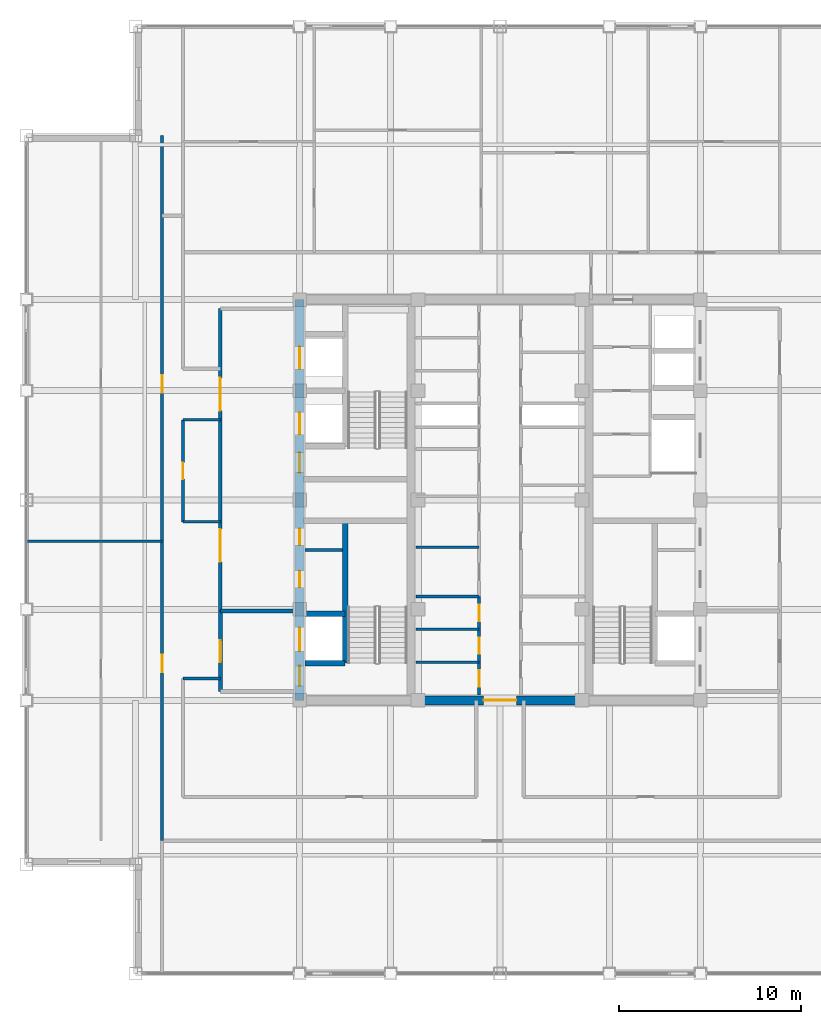
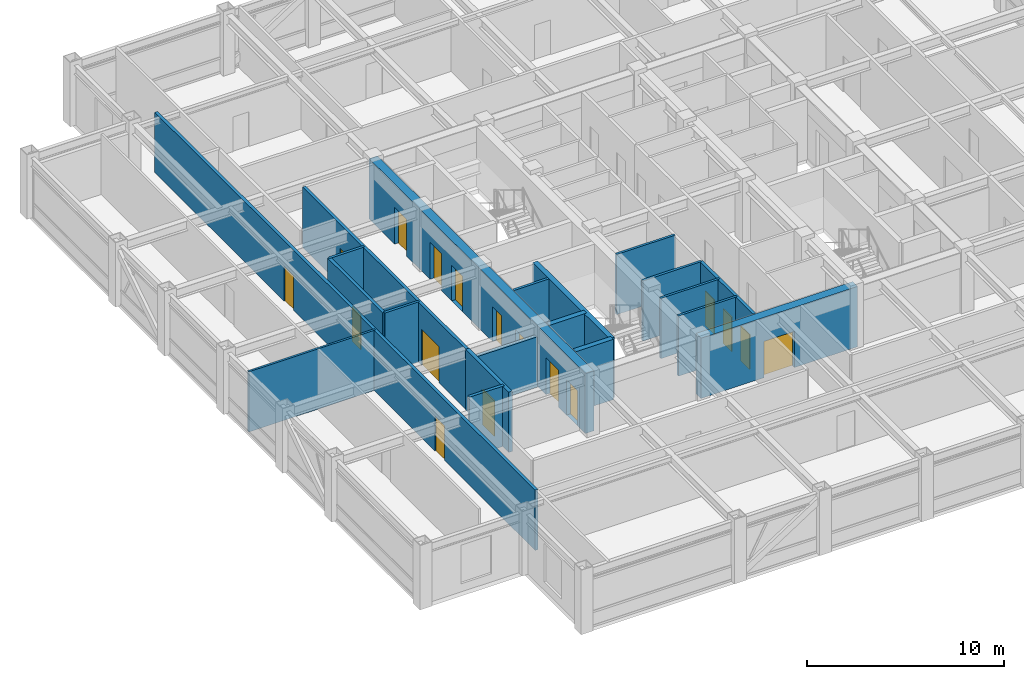
# One storey, part 24 of 29: 20 walls, 17 doors, 17 openings.
"""IFC4 building model written with IfcOpenShell, lengths in metres."""

from ifc_helpers import new_model, si_unit, direction, frame, frame_2d, origin, place, context, subcontext, project, spatial, rectangle, extrude, source, transform, mapped, material, layer, layer_set, type_object, element, fill, save


model = new_model("IFC4")

# Units and contexts
model_context = context("Model", 3, precision=1e-05, world=origin(), true_north=direction((0.0, 1.0)))
body_context = subcontext(model_context, "Body", "Model", "MODEL_VIEW")
ifc_project = project(units=[si_unit("LENGTHUNIT", "METRE"), si_unit("AREAUNIT", "SQUARE_METRE"), si_unit("VOLUMEUNIT", "CUBIC_METRE"), si_unit("PLANEANGLEUNIT", "RADIAN"), si_unit("MASSUNIT", "GRAM", prefix="KILO")], contexts=[model_context])

# Site, building, storey
site_placement = place(None, origin())
site = spatial("IfcSite", under=ifc_project, at=site_placement, CompositionType="ELEMENT")
building_placement = place(site_placement, origin())
building = spatial("IfcBuilding", under=site, at=building_placement, Name="Khorayat Bourse Tower", CompositionType="ELEMENT")
storey_placement = place(building_placement, frame((0.0, 0.0, 362.300048828125)))
storey = spatial("IfcBuildingStorey", under=building, at=storey_placement, Name="L86", CompositionType="ELEMENT", Elevation=362.300048828125)

# Wall, openings, doors
ifc_material_1 = material(Name="Concrete C52/65", Category="concrete")
ifc_layer_1 = layer(ifc_material_1, 0.5)
ifc_layer_set_1 = layer_set([ifc_layer_1], Name="Concrete C52/65")
wall_type_1 = type_object("IfcWallType", Name="WAL-CORE-500", PredefinedType="SHEAR", material=ifc_layer_set_1)
shared_shape_1 = source(origin(), body_context, "Body", "SweptSolid", [
    extrude(rectangle(XDim=22.0, YDim=0.5, at=frame_2d((11.0, 0.0))), origin(), (0.0, 0.0, 1.0), 3.739990234375),
])
wall_1_placement = place(storey_placement, frame((-11.0, -11.0, 0.0), z_axis=(0.0, 0.0, 1.0), x_axis=(0.0, 1.0, 0.0)))
wall_1 = element("IfcWall", 1, at=wall_1_placement, inside=storey, type_object=wall_type_1, Name="L86 Core Shear Wall CORE-W", PredefinedType="SHEAR", context=body_context, shape_type="MappedRepresentation", body=[
    mapped(shared_shape_1, transform((0.0, 0.0, 0.0), scale=1.0)),
])
shared_shape_2 = source(origin(), body_context, "Body", "SweptSolid", [
    extrude(rectangle(XDim=1.10009765625, YDim=2.199951171875, at=frame_2d((0.550048828125, 1.10009765625))), frame((0.0, 0.260009765625, 0.0), z_axis=(0.0, -1.0, 0.0), x_axis=(1.0, 0.0, 0.0)), (0.0, 0.0, 1.0), 0.52001953125),
])
opening_1_placement = place(wall_1_placement, frame((0.800048828125, 0.0, 0.0)))
opening_1 = element("IfcOpeningElement", 2, at=opening_1_placement, cuts=wall_1, Name="Opening DI-01", PredefinedType="OPENING", context=body_context, shape_type="MappedRepresentation", body=[
    mapped(shared_shape_2, transform((0.0, 0.0, 0.0), scale=1.0)),
])
opening_2_placement = place(wall_1_placement, frame((12.5, 0.0, 0.0)))
opening_2 = element("IfcOpeningElement", 3, at=opening_2_placement, cuts=wall_1, Name="Opening DI-01", PredefinedType="OPENING", context=body_context, shape_type="MappedRepresentation", body=[
    mapped(shared_shape_2, transform((0.0, 0.0, 0.0), scale=1.0)),
])
shared_shape_3 = source(origin(), body_context, "Body", "SweptSolid", [
    extrude(rectangle(XDim=0.89990234375, YDim=2.14990234375, at=frame_2d((0.449951171875, 1.074951171875))), frame((0.0, 0.260009765625, 0.0), z_axis=(0.0, -1.0, 0.0), x_axis=(1.0, 0.0, 0.0)), (0.0, 0.0, 1.0), 0.52001953125),
])
opening_3_placement = place(wall_1_placement, frame((6.199951171875, 0.0, 0.0)))
opening_3 = element("IfcOpeningElement", 4, at=opening_3_placement, cuts=wall_1, Name="Opening DI-06", PredefinedType="OPENING", context=body_context, shape_type="MappedRepresentation", body=[
    mapped(shared_shape_3, transform((0.0, 0.0, 0.0), scale=1.0)),
])
opening_4_placement = place(wall_1_placement, frame((8.52490234375, 0.0, 0.0)))
opening_4 = element("IfcOpeningElement", 5, at=opening_4_placement, cuts=wall_1, Name="Opening DI-06", PredefinedType="OPENING", context=body_context, shape_type="MappedRepresentation", body=[
    mapped(shared_shape_3, transform((0.0, 0.0, 0.0), scale=1.0)),
])
shared_shape_4 = source(origin(), body_context, "Body", "SweptSolid", [
    extrude(rectangle(XDim=1.199951171875, YDim=2.300048828125, at=frame_2d((0.60009765625, 1.14990234375))), frame((0.0, 0.260009765625, 0.0), z_axis=(0.0, -1.0, 0.0), x_axis=(1.0, 0.0, 0.0)), (0.0, 0.0, 1.0), 0.52001953125),
])
opening_5_placement = place(wall_1_placement, frame((14.60009765625, 0.0, 0.0)))
opening_5 = element("IfcOpeningElement", 6, at=opening_5_placement, cuts=wall_1, Name="Opening LD-01", PredefinedType="OPENING", context=body_context, shape_type="MappedRepresentation", body=[
    mapped(shared_shape_4, transform((0.0, 0.0, 0.0), scale=1.0)),
])
opening_6_placement = place(wall_1_placement, frame((18.199951171875, 0.0, 0.0)))
opening_6 = element("IfcOpeningElement", 7, at=opening_6_placement, cuts=wall_1, Name="Opening LD-01", PredefinedType="OPENING", context=body_context, shape_type="MappedRepresentation", body=[
    mapped(shared_shape_4, transform((0.0, 0.0, 0.0), scale=1.0)),
])
shared_shape_5 = source(origin(), body_context, "Body", "SweptSolid", [
    extrude(rectangle(XDim=1.300048828125, YDim=2.300048828125, at=frame_2d((0.64990234375, 1.14990234375))), frame((0.0, 0.260009765625, 0.0), z_axis=(0.0, -1.0, 0.0), x_axis=(1.0, 0.0, 0.0)), (0.0, 0.0, 1.0), 0.52001953125),
])
opening_7_placement = place(wall_1_placement, frame((2.699951171875, 0.0, 0.0)))
opening_7 = element("IfcOpeningElement", 8, at=opening_7_placement, cuts=wall_1, Name="Opening LD-02", PredefinedType="OPENING", context=body_context, shape_type="MappedRepresentation", body=[
    mapped(shared_shape_5, transform((0.0, 0.0, 0.0), scale=1.0)),
])
ifc_material_2 = material(Name="Fire-rated steel acoustic leaf", Category="steel")
door_type_1 = type_object("IfcDoorType", Name="DR-INT-STAIR-1100", OperationType="NOTDEFINED", PredefinedType="DOOR", material=ifc_material_2)
shared_shape_6 = source(origin(), body_context, "Body", "SweptSolid", [
    extrude(rectangle(XDim=1.10009765625, YDim=2.199951171875, at=frame_2d((0.550048828125, 1.10009765625))), frame((0.0, 0.02490234375, 0.0), z_axis=(0.0, -1.0, 0.0), x_axis=(1.0, 0.0, 0.0)), (0.0, 0.0, 1.0), 0.050048828125),
])
door_1_placement = place(opening_1_placement, origin())
door_1 = element("IfcDoor", 9, at=door_1_placement, inside=storey, type_object=door_type_1, Name="L86 Exit Stair 1 Door", OperationType="SINGLE_SWING_RIGHT", OverallHeight=2.199951171875, OverallWidth=1.10009765625, PredefinedType="DOOR", context=body_context, shape_type="MappedRepresentation", body=[
    mapped(shared_shape_6, transform((0.0, 0.0, 0.0), scale=1.0)),
])
fill(opening_1, door_1)
door_2_placement = place(opening_2_placement, origin())
door_2 = element("IfcDoor", 10, at=door_2_placement, inside=storey, type_object=door_type_1, Name="L86 Exit Stair 2 Door", OperationType="SINGLE_SWING_RIGHT", OverallHeight=2.199951171875, OverallWidth=1.10009765625, PredefinedType="DOOR", context=body_context, shape_type="MappedRepresentation", body=[
    mapped(shared_shape_6, transform((0.0, 0.0, 0.0), scale=1.0)),
])
fill(opening_2, door_2)
ifc_material_3 = material(Name="Moisture-resistant laminate washroom door")
door_type_2 = type_object("IfcDoorType", Name="DR-INT-WC-900", OperationType="NOTDEFINED", PredefinedType="DOOR", material=ifc_material_3)
shared_shape_7 = source(origin(), body_context, "Body", "SweptSolid", [
    extrude(rectangle(XDim=0.89990234375, YDim=2.14990234375, at=frame_2d((0.449951171875, 1.074951171875))), frame((0.0, 0.02490234375, 0.0), z_axis=(0.0, -1.0, 0.0), x_axis=(1.0, 0.0, 0.0)), (0.0, 0.0, 1.0), 0.050048828125),
])
door_3_placement = place(opening_3_placement, origin())
door_3 = element("IfcDoor", 11, at=door_3_placement, inside=storey, type_object=door_type_2, Name="L86 Switch Closet Door", OperationType="SINGLE_SWING_RIGHT", OverallHeight=2.14990234375, OverallWidth=0.89990234375, PredefinedType="DOOR", context=body_context, shape_type="MappedRepresentation", body=[
    mapped(shared_shape_7, transform((0.0, 0.0, 0.0), scale=1.0)),
])
fill(opening_3, door_3)
door_4_placement = place(opening_4_placement, origin())
door_4 = element("IfcDoor", 12, at=door_4_placement, inside=storey, type_object=door_type_2, Name="L86 Janitor Store Door", OperationType="SINGLE_SWING_LEFT", OverallHeight=2.14990234375, OverallWidth=0.89990234375, PredefinedType="DOOR", context=body_context, shape_type="MappedRepresentation", body=[
    mapped(shared_shape_7, transform((0.0, 0.0, 0.0), scale=1.0)),
])
fill(opening_4, door_4)
ifc_material_4 = material(Name="Brushed bronze stainless-steel sliding door", Category="steel")
door_type_3 = type_object("IfcDoorType", Name="DR-LIFT-PASS-1200", OperationType="NOTDEFINED", PredefinedType="DOOR", material=ifc_material_4)
shared_shape_8 = source(origin(), body_context, "Body", "SweptSolid", [
    extrude(rectangle(XDim=1.199951171875, YDim=2.300048828125, at=frame_2d((0.60009765625, 1.14990234375))), frame((0.0, 0.02490234375, 0.0), z_axis=(0.0, -1.0, 0.0), x_axis=(1.0, 0.0, 0.0)), (0.0, 0.0, 1.0), 0.050048828125),
])
door_5_placement = place(opening_5_placement, origin())
door_5 = element("IfcDoor", 13, at=door_5_placement, inside=storey, type_object=door_type_3, Name="L86 Lift PL-H1 Sliding Landing Door", OperationType="SLIDING_TO_LEFT", OverallHeight=2.300048828125, OverallWidth=1.199951171875, PredefinedType="DOOR", context=body_context, shape_type="MappedRepresentation", body=[
    mapped(shared_shape_8, transform((0.0, 0.0, 0.0), scale=1.0)),
])
fill(opening_5, door_5)
door_6_placement = place(opening_6_placement, origin())
door_6 = element("IfcDoor", 14, at=door_6_placement, inside=storey, type_object=door_type_3, Name="L86 Lift PL-H2 Sliding Landing Door", OperationType="SLIDING_TO_LEFT", OverallHeight=2.300048828125, OverallWidth=1.199951171875, PredefinedType="DOOR", context=body_context, shape_type="MappedRepresentation", body=[
    mapped(shared_shape_8, transform((0.0, 0.0, 0.0), scale=1.0)),
])
fill(opening_6, door_6)
ifc_material_5 = material(Name="Fire-rated stainless-steel sliding landing door", Category="steel")
door_type_4 = type_object("IfcDoorType", Name="DR-LIFT-FF-1300", OperationType="NOTDEFINED", PredefinedType="DOOR", material=ifc_material_5)
shared_shape_9 = source(origin(), body_context, "Body", "SweptSolid", [
    extrude(rectangle(XDim=1.300048828125, YDim=2.300048828125, at=frame_2d((0.64990234375, 1.14990234375))), frame((0.0, 0.02490234375, 0.0), z_axis=(0.0, -1.0, 0.0), x_axis=(1.0, 0.0, 0.0)), (0.0, 0.0, 1.0), 0.050048828125),
])
door_7_placement = place(opening_7_placement, origin())
door_7 = element("IfcDoor", 15, at=door_7_placement, inside=storey, type_object=door_type_4, Name="L86 Lift FFL-01 Sliding Landing Door", OperationType="SLIDING_TO_LEFT", OverallHeight=2.300048828125, OverallWidth=1.300048828125, PredefinedType="DOOR", context=body_context, shape_type="MappedRepresentation", body=[
    mapped(shared_shape_9, transform((0.0, 0.0, 0.0), scale=1.0)),
])
fill(opening_7, door_7)

# Wall, opening, door
shared_shape_10 = source(origin(), body_context, "Body", "SweptSolid", [
    extrude(rectangle(XDim=9.2001953125, YDim=0.5, at=frame_2d((4.60009765625, 0.0))), origin(), (0.0, 0.0, 1.0), 3.739990234375),
])
wall_2_placement = place(storey_placement, frame((-4.60009765625, -11.0, 0.0), z_axis=(0.0, 0.0, 1.0), x_axis=(1.0, 0.0, 0.0)))
wall_2 = element("IfcWall", 16, at=wall_2_placement, inside=storey, type_object=wall_type_1, Name="L86 Core Shear Wall CORE-S", PredefinedType="SHEAR", context=body_context, shape_type="MappedRepresentation", body=[
    mapped(shared_shape_10, transform((0.0, 0.0, 0.0), scale=1.0)),
])
shared_shape_11 = source(origin(), body_context, "Body", "SweptSolid", [
    extrude(rectangle(XDim=1.800048828125, YDim=2.25, at=frame_2d((0.89990234375, 1.125))), frame((0.0, 0.260009765625, 0.0), z_axis=(0.0, -1.0, 0.0), x_axis=(1.0, 0.0, 0.0)), (0.0, 0.0, 1.0), 0.52001953125),
])
opening_8_placement = place(wall_2_placement, frame((3.699951171875, 0.0, 0.0)))
opening_8 = element("IfcOpeningElement", 17, at=opening_8_placement, cuts=wall_2, Name="Opening DI-03", PredefinedType="OPENING", context=body_context, shape_type="MappedRepresentation", body=[
    mapped(shared_shape_11, transform((0.0, 0.0, 0.0), scale=1.0)),
])
ifc_material_6 = material(Name="Fire-rated hardwood vision-panel double leaf", Category="wood")
door_type_5 = type_object("IfcDoorType", Name="DR-INT-CORR-1800", OperationType="NOTDEFINED", PredefinedType="DOOR", material=ifc_material_6)
shared_shape_12 = source(origin(), body_context, "Body", "SweptSolid", [
    extrude(rectangle(XDim=1.800048828125, YDim=2.25, at=frame_2d((0.89990234375, 1.125))), frame((0.0, 0.02490234375, 0.0), z_axis=(0.0, -1.0, 0.0), x_axis=(1.0, 0.0, 0.0)), (0.0, 0.0, 1.0), 0.050048828125),
])
door_8_placement = place(opening_8_placement, origin())
door_8 = element("IfcDoor", 18, at=door_8_placement, inside=storey, type_object=door_type_5, Name="L86 Central Core South Passage Door", OperationType="SINGLE_SWING_LEFT", OverallHeight=2.25, OverallWidth=1.800048828125, PredefinedType="DOOR", context=body_context, shape_type="MappedRepresentation", body=[
    mapped(shared_shape_12, transform((0.0, 0.0, 0.0), scale=1.0)),
])
fill(opening_8, door_8)

# Walls
ifc_material_7 = material(Name="Concrete C50/60", Category="concrete")
ifc_layer_2 = layer(ifc_material_7, 0.300048828125)
ifc_layer_set_2 = layer_set([ifc_layer_2], Name="Concrete C50/60")
wall_type_2 = type_object("IfcWallType", Name="WAL-SHAFT-300", PredefinedType="SHEAR", material=ifc_layer_set_2)
shared_shape_13 = source(origin(), body_context, "Body", "SweptSolid", [
    extrude(rectangle(XDim=7.800048828125, YDim=0.300048828125, at=frame_2d((3.89990234375, 0.0))), origin(), (0.0, 0.0, 1.0), 3.739990234375),
])
wall_3_placement = place(storey_placement, frame((-8.5, -8.949951171875, 0.0), z_axis=(0.0, 0.0, 1.0), x_axis=(0.0, 1.0, 0.0)))
element("IfcWall", 19, at=wall_3_placement, inside=storey, type_object=wall_type_2, Name="L86 Partition WAL-L86-WPIER-SP", PredefinedType="SHEAR", context=body_context, shape_type="MappedRepresentation", body=[
    mapped(shared_shape_13, transform((0.0, 0.0, 0.0), scale=1.0)),
])
shared_shape_14 = source(origin(), body_context, "Body", "SweptSolid", [
    extrude(rectangle(XDim=2.199951171875, YDim=0.300048828125, at=frame_2d((1.10009765625, 0.0))), origin(), (0.0, 0.0, 1.0), 3.739990234375),
])
for number, where, z_axis, x_axis, name in (
    (20, (-10.699951171875, -8.949951171875, 0.0), (0.0, 0.0, 1.0), (1.0, 0.0, 0.0), "L86 Partition WAL-L86-WPIER-FF1S"),
    (21, (-10.699951171875, -6.25, 0.0), (0.0, 0.0, 1.0), (1.0, 0.0, 0.0), "L86 Partition WAL-L86-WPIER-FF1N"),
):
    element("IfcWall", number, at=place(storey_placement, frame(where, z_axis=z_axis, x_axis=x_axis)), inside=storey, type_object=wall_type_2, Name=name, PredefinedType="SHEAR", context=body_context, shape_type="MappedRepresentation", body=[
        mapped(shared_shape_14, transform((0.0, 0.0, 0.0), scale=1.0)),
    ])
ifc_material_8 = material(Name="Gypsum plasterboard twin-frame partition")
ifc_layer_3 = layer(ifc_material_8, 0.14990234375)
ifc_layer_set_3 = layer_set([ifc_layer_3], Name="Gypsum plasterboard twin-frame partition")
wall_type_3 = type_object("IfcWallType", Name="WAL-PART-SUITE-150", PredefinedType="PARTITIONING", material=ifc_layer_set_3)
shared_shape_15 = source(origin(), body_context, "Body", "SweptSolid", [
    extrude(rectangle(XDim=2.050048828125, YDim=0.14990234375, at=frame_2d((1.02490234375, 0.0))), origin(), (0.0, 0.0, 1.0), 3.739990234375),
])
wall_4_placement = place(storey_placement, frame((-10.699951171875, -2.75, 0.0), z_axis=(0.0, 0.0, 1.0), x_axis=(1.0, 0.0, 0.0)))
element("IfcWall", 22, at=wall_4_placement, inside=storey, type_object=wall_type_3, Name="L86 Partition WAL-L86-WSRV-D1", PredefinedType="PARTITIONING", context=body_context, shape_type="MappedRepresentation", body=[
    mapped(shared_shape_15, transform((0.0, 0.0, 0.0), scale=1.0)),
])
ifc_material_9 = material(Name="Aerated concrete blockwork", Category="masonry")
ifc_layer_4 = layer(ifc_material_9, 0.219970703125)
ifc_layer_set_4 = layer_set([ifc_layer_4], Name="Aerated concrete blockwork")
wall_type_4 = type_object("IfcWallType", Name="WAL-PART-FF-220", PredefinedType="PARTITIONING", material=ifc_layer_set_4)
shared_shape_16 = source(origin(), body_context, "Body", "SweptSolid", [
    extrude(rectangle(XDim=4.050048828125, YDim=0.219970703125, at=frame_2d((2.02490234375, 0.0))), origin(), (0.0, 0.0, 1.0), 3.1240234375),
])
wall_5_placement = place(storey_placement, frame((-15.35009765625, -6.10009765625, 0.0), z_axis=(0.0, 0.0, 1.0), x_axis=(1.0, 0.0, 0.0)))
element("IfcWall", 23, at=wall_5_placement, inside=storey, type_object=wall_type_4, Name="L86 Partition WAL-L86-FFLW-N", PredefinedType="PARTITIONING", context=body_context, shape_type="MappedRepresentation", body=[
    mapped(shared_shape_16, transform((0.0, 0.0, 0.0), scale=1.0)),
])

# Wall, opening, door
shared_shape_17 = source(origin(), body_context, "Body", "SweptSolid", [
    extrude(rectangle(XDim=4.39990234375, YDim=0.219970703125, at=frame_2d((2.199951171875, 0.0))), origin(), (0.0, 0.0, 1.0), 3.739990234375),
])
wall_6_placement = place(storey_placement, frame((-15.35009765625, -10.5, 0.0), z_axis=(0.0, 0.0, 1.0), x_axis=(0.0, 1.0, 0.0)))
wall_6 = element("IfcWall", 24, at=wall_6_placement, inside=storey, type_object=wall_type_4, Name="L86 Partition WAL-L86-FFLW-W", PredefinedType="PARTITIONING", context=body_context, shape_type="MappedRepresentation", body=[
    mapped(shared_shape_17, transform((0.0, 0.0, 0.0), scale=1.0)),
])
shared_shape_18 = source(origin(), body_context, "Body", "SweptSolid", [
    extrude(rectangle(XDim=1.199951171875, YDim=2.199951171875, at=frame_2d((0.60009765625, 1.10009765625))), frame((0.0, 0.119873046875, 0.0), z_axis=(0.0, -1.0, 0.0), x_axis=(1.0, 0.0, 0.0)), (0.0, 0.0, 1.0), 0.239990234375),
])
opening_9_placement = place(wall_6_placement, frame((1.60009765625, 0.0, 0.0)))
opening_9 = element("IfcOpeningElement", 25, at=opening_9_placement, cuts=wall_6, Name="Opening DI-02", PredefinedType="OPENING", context=body_context, shape_type="MappedRepresentation", body=[
    mapped(shared_shape_18, transform((0.0, 0.0, 0.0), scale=1.0)),
])
ifc_material_10 = material(Name="Fire-rated steel double-seal leaf", Category="steel")
door_type_6 = type_object("IfcDoorType", Name="DR-INT-FFLOBBY-1200", OperationType="NOTDEFINED", PredefinedType="DOOR", material=ifc_material_10)
shared_shape_19 = source(origin(), body_context, "Body", "SweptSolid", [
    extrude(rectangle(XDim=1.199951171875, YDim=2.199951171875, at=frame_2d((0.60009765625, 1.10009765625))), frame((0.0, 0.02490234375, 0.0), z_axis=(0.0, -1.0, 0.0), x_axis=(1.0, 0.0, 0.0)), (0.0, 0.0, 1.0), 0.050048828125),
])
door_9_placement = place(opening_9_placement, origin())
door_9 = element("IfcDoor", 26, at=door_9_placement, inside=storey, type_object=door_type_6, Name="L86 West Firefighting Lobby Door", OperationType="SINGLE_SWING_LEFT", OverallHeight=2.199951171875, OverallWidth=1.199951171875, PredefinedType="DOOR", context=body_context, shape_type="MappedRepresentation", body=[
    mapped(shared_shape_19, transform((0.0, 0.0, 0.0), scale=1.0)),
])
fill(opening_9, door_9)

# Wall, openings, doors
ifc_material_11 = material(Name="Gypsum plasterboard acoustic stud wall")
ifc_layer_5 = layer(ifc_material_11, 0.179931640625)
ifc_layer_set_5 = layer_set([ifc_layer_5], Name="Gypsum plasterboard acoustic stud wall")
wall_type_5 = type_object("IfcWallType", Name="WAL-PART-CORR-180", PredefinedType="PARTITIONING", material=ifc_layer_set_5)
shared_shape_20 = source(origin(), body_context, "Body", "SweptSolid", [
    extrude(rectangle(XDim=16.60009765625, YDim=0.179931640625, at=frame_2d((8.300048828125, 0.0))), origin(), (0.0, 0.0, 1.0), 3.739990234375),
])
wall_7_placement = place(storey_placement, frame((-15.35009765625, -6.10009765625, 0.0), z_axis=(0.0, 0.0, 1.0), x_axis=(0.0, 1.0, 0.0)))
wall_7 = element("IfcWall", 27, at=wall_7_placement, inside=storey, type_object=wall_type_5, Name="L86 Partition WAL-L86-WLOB-W", PredefinedType="PARTITIONING", context=body_context, shape_type="MappedRepresentation", body=[
    mapped(shared_shape_20, transform((0.0, 0.0, 0.0), scale=1.0)),
])
shared_shape_21 = source(origin(), body_context, "Body", "SweptSolid", [
    extrude(rectangle(XDim=1.800048828125, YDim=2.25, at=frame_2d((0.89990234375, 1.125))), frame((0.0, 0.099853515625, 0.0), z_axis=(0.0, -1.0, 0.0), x_axis=(1.0, 0.0, 0.0)), (0.0, 0.0, 1.0), 0.199951171875),
])
opening_10_placement = place(wall_7_placement, frame((2.699951171875, 0.0, 0.0)))
opening_10 = element("IfcOpeningElement", 28, at=opening_10_placement, cuts=wall_7, Name="Opening DI-03", PredefinedType="OPENING", context=body_context, shape_type="MappedRepresentation", body=[
    mapped(shared_shape_21, transform((0.0, 0.0, 0.0), scale=1.0)),
])
opening_11_placement = place(wall_7_placement, frame((11.0, 0.0, 0.0)))
opening_11 = element("IfcOpeningElement", 29, at=opening_11_placement, cuts=wall_7, Name="Opening DI-03", PredefinedType="OPENING", context=body_context, shape_type="MappedRepresentation", body=[
    mapped(shared_shape_21, transform((0.0, 0.0, 0.0), scale=1.0)),
])
door_10_placement = place(opening_10_placement, origin())
door_10 = element("IfcDoor", 30, at=door_10_placement, inside=storey, type_object=door_type_5, Name="L86 West Core Lobby South Door", OperationType="SINGLE_SWING_LEFT", OverallHeight=2.25, OverallWidth=1.800048828125, PredefinedType="DOOR", context=body_context, shape_type="MappedRepresentation", body=[
    mapped(shared_shape_12, transform((0.0, 0.0, 0.0), scale=1.0)),
])
fill(opening_10, door_10)
door_11_placement = place(opening_11_placement, origin())
door_11 = element("IfcDoor", 31, at=door_11_placement, inside=storey, type_object=door_type_5, Name="L86 West Core Lobby North Door", OperationType="SINGLE_SWING_RIGHT", OverallHeight=2.25, OverallWidth=1.800048828125, PredefinedType="DOOR", context=body_context, shape_type="MappedRepresentation", body=[
    mapped(shared_shape_12, transform((0.0, 0.0, 0.0), scale=1.0)),
])
fill(opening_11, door_11)

# Walls
shared_shape_22 = source(origin(), body_context, "Body", "SweptSolid", [
    extrude(rectangle(XDim=3.4501953125, YDim=0.14990234375, at=frame_2d((1.72509765625, 0.0))), origin(), (0.0, 0.0, 1.0), 3.739990234375),
])
wall_8_placement = place(storey_placement, frame((-4.60009765625, -5.300048828125, 0.0), z_axis=(0.0, 0.0, 1.0), x_axis=(1.0, 0.0, 0.0)))
element("IfcWall", 32, at=wall_8_placement, inside=storey, type_object=wall_type_3, Name="L86 Partition WAL-L86-FB1-NW", PredefinedType="PARTITIONING", context=body_context, shape_type="MappedRepresentation", body=[
    mapped(shared_shape_22, transform((0.0, 0.0, 0.0), scale=1.0)),
])
ifc_material_12 = material(Name="Moisture-resistant masonry partition", Category="masonry")
ifc_layer_6 = layer(ifc_material_12, 0.139892578125)
ifc_layer_set_6 = layer_set([ifc_layer_6], Name="Moisture-resistant masonry partition")
wall_type_6 = type_object("IfcWallType", Name="WAL-PART-WET-140", PredefinedType="PARTITIONING", material=ifc_layer_set_6)
shared_shape_23 = source(origin(), body_context, "Body", "SweptSolid", [
    extrude(rectangle(XDim=3.4501953125, YDim=0.139892578125, at=frame_2d((1.72509765625, 0.0))), origin(), (0.0, 0.0, 1.0), 3.739990234375),
])
for number, where, z_axis, x_axis, name in (
    (33, (-4.60009765625, -8.89990234375, 0.0), (0.0, 0.0, 1.0), (1.0, 0.0, 0.0), "L86 Partition WAL-L86-FB1W-D1"),
    (34, (-4.60009765625, -7.10009765625, 0.0), (0.0, 0.0, 1.0), (1.0, 0.0, 0.0), "L86 Partition WAL-L86-FB1W-D2"),
    (35, (-4.60009765625, -2.60009765625, 0.0), (0.0, 0.0, 1.0), (1.0, 0.0, 0.0), "L86 Partition WAL-L86-CMW-D1"),
):
    element("IfcWall", number, at=place(storey_placement, frame(where, z_axis=z_axis, x_axis=x_axis)), inside=storey, type_object=wall_type_6, Name=name, PredefinedType="PARTITIONING", context=body_context, shape_type="MappedRepresentation", body=[
        mapped(shared_shape_23, transform((0.0, 0.0, 0.0), scale=1.0)),
    ])

# Wall, openings, doors
shared_shape_24 = source(origin(), body_context, "Body", "SweptSolid", [
    extrude(rectangle(XDim=5.39990234375, YDim=0.179931640625, at=frame_2d((2.699951171875, 0.0))), origin(), (0.0, 0.0, 1.0), 3.739990234375),
])
wall_9_placement = place(storey_placement, frame((-1.14990234375, -10.699951171875, 0.0), z_axis=(0.0, 0.0, 1.0), x_axis=(0.0, 1.0, 0.0)))
wall_9 = element("IfcWall", 36, at=wall_9_placement, inside=storey, type_object=wall_type_5, Name="L86 Partition WAL-L86-FB1W-L", PredefinedType="PARTITIONING", context=body_context, shape_type="MappedRepresentation", body=[
    mapped(shared_shape_24, transform((0.0, 0.0, 0.0), scale=1.0)),
])
shared_shape_25 = source(origin(), body_context, "Body", "SweptSolid", [
    extrude(rectangle(XDim=0.89990234375, YDim=2.14990234375, at=frame_2d((0.449951171875, 1.074951171875))), frame((0.0, 0.099853515625, 0.0), z_axis=(0.0, -1.0, 0.0), x_axis=(1.0, 0.0, 0.0)), (0.0, 0.0, 1.0), 0.199951171875),
])
opening_12_placement = place(wall_9_placement, frame((0.449951171875, 0.0, 0.0)))
opening_12 = element("IfcOpeningElement", 37, at=opening_12_placement, cuts=wall_9, Name="Opening DI-06", PredefinedType="OPENING", context=body_context, shape_type="MappedRepresentation", body=[
    mapped(shared_shape_25, transform((0.0, 0.0, 0.0), scale=1.0)),
])
opening_13_placement = place(wall_9_placement, frame((2.25, 0.0, 0.0)))
opening_13 = element("IfcOpeningElement", 38, at=opening_13_placement, cuts=wall_9, Name="Opening DI-06", PredefinedType="OPENING", context=body_context, shape_type="MappedRepresentation", body=[
    mapped(shared_shape_25, transform((0.0, 0.0, 0.0), scale=1.0)),
])
opening_14_placement = place(wall_9_placement, frame((4.050048828125, 0.0, 0.0)))
opening_14 = element("IfcOpeningElement", 39, at=opening_14_placement, cuts=wall_9, Name="Opening DI-06", PredefinedType="OPENING", context=body_context, shape_type="MappedRepresentation", body=[
    mapped(shared_shape_25, transform((0.0, 0.0, 0.0), scale=1.0)),
])
door_12_placement = place(opening_12_placement, origin())
door_12 = element("IfcDoor", 40, at=door_12_placement, inside=storey, type_object=door_type_2, Name="L86 Archive Store A Door", OperationType="SINGLE_SWING_RIGHT", OverallHeight=2.14990234375, OverallWidth=0.89990234375, PredefinedType="DOOR", context=body_context, shape_type="MappedRepresentation", body=[
    mapped(shared_shape_7, transform((0.0, 0.0, 0.0), scale=1.0)),
])
fill(opening_12, door_12)
door_13_placement = place(opening_13_placement, origin())
door_13 = element("IfcDoor", 41, at=door_13_placement, inside=storey, type_object=door_type_2, Name="L86 Patch Comms Room Door", OperationType="SINGLE_SWING_LEFT", OverallHeight=2.14990234375, OverallWidth=0.89990234375, PredefinedType="DOOR", context=body_context, shape_type="MappedRepresentation", body=[
    mapped(shared_shape_7, transform((0.0, 0.0, 0.0), scale=1.0)),
])
fill(opening_13, door_13)
door_14_placement = place(opening_14_placement, origin())
door_14 = element("IfcDoor", 42, at=door_14_placement, inside=storey, type_object=door_type_2, Name="L86 Archive Store B Door", OperationType="SINGLE_SWING_RIGHT", OverallHeight=2.14990234375, OverallWidth=0.89990234375, PredefinedType="DOOR", context=body_context, shape_type="MappedRepresentation", body=[
    mapped(shared_shape_7, transform((0.0, 0.0, 0.0), scale=1.0)),
])
fill(opening_14, door_14)

# Wall, opening, door
shared_shape_26 = source(origin(), body_context, "Body", "SweptSolid", [
    extrude(rectangle(XDim=5.599853515625, YDim=0.179931640625, at=frame_2d((2.7998046875, 0.0))), origin(), (0.0, 0.0, 1.0), 3.739990234375),
])
wall_10_placement = place(storey_placement, frame((-17.39990234375, -1.199951171875, 0.0), z_axis=(0.0, 0.0, 1.0), x_axis=(0.0, 1.0, 0.0)))
wall_10 = element("IfcWall", 43, at=wall_10_placement, inside=storey, type_object=wall_type_5, Name="L86 Partition WAL-L86-PKWM-W", PredefinedType="PARTITIONING", context=body_context, shape_type="MappedRepresentation", body=[
    mapped(shared_shape_26, transform((0.0, 0.0, 0.0), scale=1.0)),
])
opening_15_placement = place(wall_10_placement, frame((2.35009765625, 0.0, 0.0)))
opening_15 = element("IfcOpeningElement", 44, at=opening_15_placement, cuts=wall_10, Name="Opening DI-06", PredefinedType="OPENING", context=body_context, shape_type="MappedRepresentation", body=[
    mapped(shared_shape_25, transform((0.0, 0.0, 0.0), scale=1.0)),
])
door_15_placement = place(opening_15_placement, origin())
door_15 = element("IfcDoor", 45, at=door_15_placement, inside=storey, type_object=door_type_2, Name="L86 West Inboard Focus Door", OperationType="SINGLE_SWING_LEFT", OverallHeight=2.14990234375, OverallWidth=0.89990234375, PredefinedType="DOOR", context=body_context, shape_type="MappedRepresentation", body=[
    mapped(shared_shape_7, transform((0.0, 0.0, 0.0), scale=1.0)),
])
fill(opening_15, door_15)

# Walls
shared_shape_27 = source(origin(), body_context, "Body", "SweptSolid", [
    extrude(rectangle(XDim=2.0498046875, YDim=0.14990234375, at=frame_2d((1.02490234375, 0.0))), origin(), (0.0, 0.0, 1.0), 3.739990234375),
])
for number, where, z_axis, x_axis, name in (
    (46, (-17.39990234375, -1.199951171875, 0.0), (0.0, 0.0, 1.0), (1.0, 0.0, 0.0), "L86 Partition WAL-L86-PKWM-S"),
    (47, (-17.39990234375, 4.39990234375, 0.0), (0.0, 0.0, 1.0), (1.0, 0.0, 0.0), "L86 Partition WAL-L86-PKWM-N"),
):
    element("IfcWall", number, at=place(storey_placement, frame(where, z_axis=z_axis, x_axis=x_axis)), inside=storey, type_object=wall_type_3, Name=name, PredefinedType="PARTITIONING", context=body_context, shape_type="MappedRepresentation", body=[
        mapped(shared_shape_27, transform((0.0, 0.0, 0.0), scale=1.0)),
    ])
shared_shape_28 = source(origin(), body_context, "Body", "SweptSolid", [
    extrude(rectangle(XDim=2.0498046875, YDim=0.179931640625, at=frame_2d((1.02490234375, 0.0))), origin(), (0.0, 0.0, 1.0), 3.739990234375),
])
wall_11_placement = place(storey_placement, frame((-17.39990234375, -9.800048828125, 0.0), z_axis=(0.0, 0.0, 1.0), x_axis=(1.0, 0.0, 0.0)))
element("IfcWall", 48, at=wall_11_placement, inside=storey, type_object=wall_type_5, Name="L86 Partition WAL-L86-THRW-S", PredefinedType="PARTITIONING", context=body_context, shape_type="MappedRepresentation", body=[
    mapped(shared_shape_28, transform((0.0, 0.0, 0.0), scale=1.0)),
])
ifc_material_13 = material(Name="Gypsum plasterboard partition")
ifc_layer_7 = layer(ifc_material_13, 0.125)
ifc_layer_set_7 = layer_set([ifc_layer_7], Name="Gypsum plasterboard partition")
wall_type_7 = type_object("IfcWallType", Name="WAL-PART-ROOM-125", PredefinedType="PARTITIONING", material=ifc_layer_set_7)
shared_shape_29 = source(origin(), body_context, "Body", "SweptSolid", [
    extrude(rectangle(XDim=7.449951171875, YDim=0.125, at=frame_2d((3.72509765625, 0.0))), origin(), (0.0, 0.0, 1.0), 3.739990234375),
])
wall_12_placement = place(storey_placement, frame((-26.0, -2.263916015625, 0.0), z_axis=(0.0, 0.0, 1.0), x_axis=(1.0, 0.0, 0.0)))
element("IfcWall", 49, at=wall_12_placement, inside=storey, type_object=wall_type_7, Name="L86 Partition WAL-L86-WDV-1", PredefinedType="PARTITIONING", context=body_context, shape_type="MappedRepresentation", body=[
    mapped(shared_shape_29, transform((0.0, 0.0, 0.0), scale=1.0)),
])

# Wall, openings, doors
shared_shape_30 = source(origin(), body_context, "Body", "SweptSolid", [
    extrude(rectangle(XDim=38.699951171875, YDim=0.179931640625, at=frame_2d((19.35009765625, 0.0))), origin(), (0.0, 0.0, 1.0), 3.739990234375),
])
wall_13_placement = place(storey_placement, frame((-18.550048828125, -18.699951171875, 0.0), z_axis=(0.0, 0.0, 1.0), x_axis=(0.0, 1.0, 0.0)))
wall_13 = element("IfcWall", 50, at=wall_13_placement, inside=storey, type_object=wall_type_5, Name="L86 Partition WAL-L86-WCORR", PredefinedType="PARTITIONING", context=body_context, shape_type="MappedRepresentation", body=[
    mapped(shared_shape_30, transform((0.0, 0.0, 0.0), scale=1.0)),
])
shared_shape_31 = source(origin(), body_context, "Body", "SweptSolid", [
    extrude(rectangle(XDim=0.949951171875, YDim=2.14990234375, at=frame_2d((0.47509765625, 1.074951171875))), frame((0.0, 0.099853515625, 0.0), z_axis=(0.0, -1.0, 0.0), x_axis=(1.0, 0.0, 0.0)), (0.0, 0.0, 1.0), 0.199951171875),
])
opening_16_placement = place(wall_13_placement, frame((9.242919921875, 0.0, 0.0)))
opening_16 = element("IfcOpeningElement", 51, at=opening_16_placement, cuts=wall_13, Name="Opening DI-05", PredefinedType="OPENING", context=body_context, shape_type="MappedRepresentation", body=[
    mapped(shared_shape_31, transform((0.0, 0.0, 0.0), scale=1.0)),
])
opening_17_placement = place(wall_13_placement, frame((24.593017578125, 0.0, 0.0)))
opening_17 = element("IfcOpeningElement", 52, at=opening_17_placement, cuts=wall_13, Name="Opening DI-05", PredefinedType="OPENING", context=body_context, shape_type="MappedRepresentation", body=[
    mapped(shared_shape_31, transform((0.0, 0.0, 0.0), scale=1.0)),
])
ifc_material_14 = material(Name="Acoustic oak veneer office door")
door_type_7 = type_object("IfcDoorType", Name="DR-INT-OFFICE-950", OperationType="NOTDEFINED", PredefinedType="DOOR", material=ifc_material_14)
shared_shape_32 = source(origin(), body_context, "Body", "SweptSolid", [
    extrude(rectangle(XDim=0.949951171875, YDim=2.14990234375, at=frame_2d((0.47509765625, 1.074951171875))), frame((0.0, 0.02490234375, 0.0), z_axis=(0.0, -1.0, 0.0), x_axis=(1.0, 0.0, 0.0)), (0.0, 0.0, 1.0), 0.050048828125),
])
door_16_placement = place(opening_16_placement, origin())
door_16 = element("IfcDoor", 53, at=door_16_placement, inside=storey, type_object=door_type_7, Name="L86 Market Reference Library W1 Door", OperationType="SINGLE_SWING_RIGHT", OverallHeight=2.14990234375, OverallWidth=0.949951171875, PredefinedType="DOOR", context=body_context, shape_type="MappedRepresentation", body=[
    mapped(shared_shape_32, transform((0.0, 0.0, 0.0), scale=1.0)),
])
fill(opening_16, door_16)
door_17_placement = place(opening_17_placement, origin())
door_17 = element("IfcDoor", 54, at=door_17_placement, inside=storey, type_object=door_type_7, Name="L86 Brokerage Member Kiosk W2 Door", OperationType="SINGLE_SWING_LEFT", OverallHeight=2.14990234375, OverallWidth=0.949951171875, PredefinedType="DOOR", context=body_context, shape_type="MappedRepresentation", body=[
    mapped(shared_shape_32, transform((0.0, 0.0, 0.0), scale=1.0)),
])
fill(opening_17, door_17)

save(model, "model.ifc")
